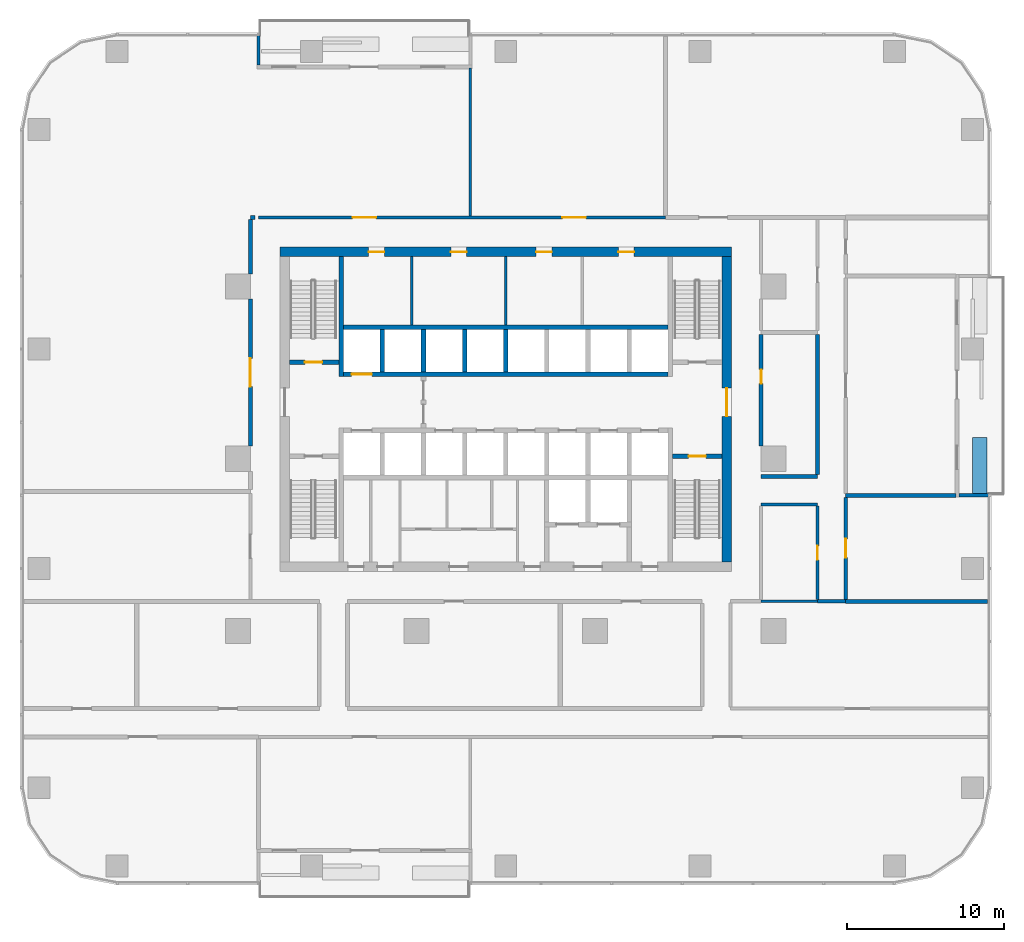
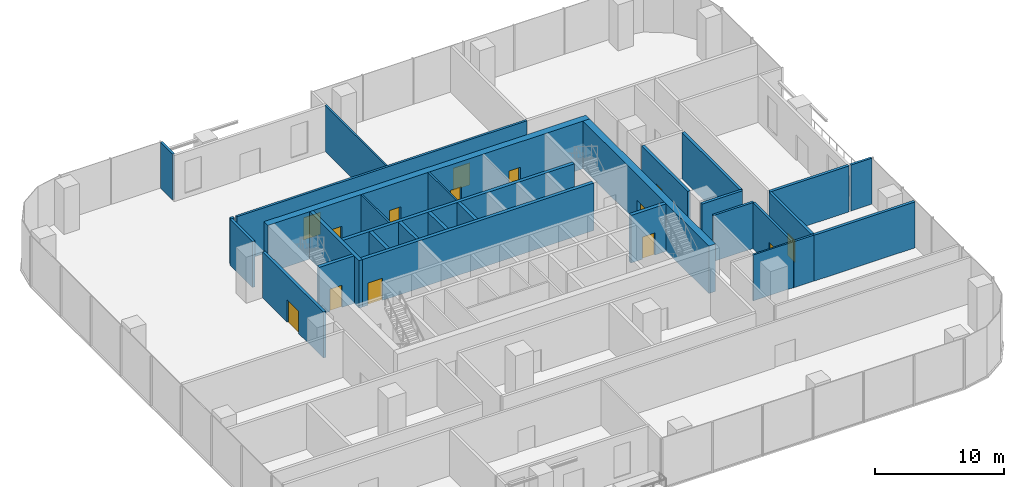
# One storey, part 9 of 15: 31 walls, 14 doors, 14 openings.
"""IFC4 building model written with IfcOpenShell, lengths in metres."""

from ifc_helpers import new_model, si_unit, direction, frame, frame_2d, origin, place, context, subcontext, project, spatial, rectangle, extrude, material, layer, layer_set, type_object, element, fill, save


model = new_model("IFC4")

# Units and contexts
model_context = context("Model", 3, precision=1e-05, world=origin(), true_north=direction((0.0, 1.0)))
body_context = subcontext(model_context, "Body", "Model", "MODEL_VIEW")
ifc_project = project(units=[si_unit("LENGTHUNIT", "METRE"), si_unit("AREAUNIT", "SQUARE_METRE"), si_unit("VOLUMEUNIT", "CUBIC_METRE"), si_unit("PLANEANGLEUNIT", "RADIAN"), si_unit("MASSUNIT", "GRAM", prefix="KILO")], contexts=[model_context])

# Site, building, storey
site_placement = place(None, origin())
site = spatial("IfcSite", under=ifc_project, at=site_placement, CompositionType="ELEMENT")
building_placement = place(site_placement, origin())
building = spatial("IfcBuilding", under=site, at=building_placement, Name="Mopane Tessera Tower", CompositionType="ELEMENT")
storey_placement = place(building_placement, frame((0.0, 0.0, 69.39990234375)))
storey = spatial("IfcBuildingStorey", under=building, at=storey_placement, Name="L13", CompositionType="ELEMENT", Elevation=69.39990234375)

# Walls
ifc_material_1 = material(Name="Fire-rated gypsum board partition")
ifc_layer_1 = layer(ifc_material_1, 0.14990234375)
ifc_layer_set_1 = layer_set([ifc_layer_1], Name="Fire-rated gypsum board partition")
wall_type_1 = type_object("IfcWallType", Name="Core room partition 150 mm", PredefinedType="PARTITIONING", material=ifc_layer_set_1)
for number, where, z_axis, x_axis, name in (
    (1, (-6.0, 8.550048828125, 0.0), (0.0, 0.0, 1.0), (0.0, 1.0, 0.0), "L13 Room partition"),
    (2, (0.0, 8.550048828125, 0.0), (0.0, 0.0, 1.0), (0.0, 1.0, 0.0), "L13 Room partition"),
):
    element("IfcWall", number, at=place(storey_placement, frame(where, z_axis=z_axis, x_axis=x_axis)), inside=storey, type_object=wall_type_1, Name=name, PredefinedType="PARTITIONING", context=body_context, shape_type="SweptSolid", body=[
        extrude(rectangle(XDim=4.349853515625, YDim=0.14990234375, at=frame_2d((2.1748046875, 0.0))), origin(), (0.0, 0.0, 1.0), 4.5),
    ])

# Wall, openings, doors
ifc_material_2 = material(Name="Concrete C70/85", Category="concrete")
ifc_layer_2 = layer(ifc_material_2, 0.60009765625)
ifc_layer_set_2 = layer_set([ifc_layer_2], Name="Concrete C70/85")
wall_type_2 = type_object("IfcWallType", Name="Core shear wall 600 mm", PredefinedType="SHEAR", material=ifc_layer_set_2)
wall_1_placement = place(storey_placement, frame((-14.39990234375, 13.199951171875, 0.0), z_axis=(0.0, 0.0, 1.0), x_axis=(1.0, 0.0, 0.0)))
wall_1 = element("IfcWall", 3, at=wall_1_placement, inside=storey, type_object=wall_type_2, Name="L13 Core wall north", PredefinedType="SHEAR", context=body_context, shape_type="SweptSolid", body=[
    extrude(rectangle(XDim=28.7998046875, YDim=0.60009765625, at=frame_2d((14.39990234375, 0.0))), origin(), (0.0, 0.0, 1.0), 4.5),
])
opening_1_placement = place(wall_1_placement, frame((5.64990234375, 0.0, 0.0)))
opening_1 = element("IfcOpeningElement", 4, at=opening_1_placement, cuts=wall_1, Name="Opening RD1", PredefinedType="OPENING", context=body_context, shape_type="SweptSolid", body=[
    extrude(rectangle(XDim=1.0, YDim=2.10009765625, at=frame_2d((0.5, 1.050048828125))), frame((0.0, 0.31201171875, 0.0), z_axis=(0.0, -1.0, 0.0), x_axis=(1.0, 0.0, 0.0)), (0.0, 0.0, 1.0), 0.6240234375),
])
opening_2_placement = place(wall_1_placement, frame((10.89990234375, 0.0, 0.0)))
opening_2 = element("IfcOpeningElement", 5, at=opening_2_placement, cuts=wall_1, Name="Opening RD1", PredefinedType="OPENING", context=body_context, shape_type="SweptSolid", body=[
    extrude(rectangle(XDim=1.0, YDim=2.10009765625, at=frame_2d((0.5, 1.050048828125))), frame((0.0, 0.31201171875, 0.0), z_axis=(0.0, -1.0, 0.0), x_axis=(1.0, 0.0, 0.0)), (0.0, 0.0, 1.0), 0.6240234375),
])
opening_3_placement = place(wall_1_placement, frame((16.33740234375, 0.0, 0.0)))
opening_3 = element("IfcOpeningElement", 6, at=opening_3_placement, cuts=wall_1, Name="Opening RD1", PredefinedType="OPENING", context=body_context, shape_type="SweptSolid", body=[
    extrude(rectangle(XDim=1.0, YDim=2.10009765625, at=frame_2d((0.5, 1.050048828125))), frame((0.0, 0.31201171875, 0.0), z_axis=(0.0, -1.0, 0.0), x_axis=(1.0, 0.0, 0.0)), (0.0, 0.0, 1.0), 0.6240234375),
])
opening_4_placement = place(wall_1_placement, frame((21.58740234375, 0.0, 0.0)))
opening_4 = element("IfcOpeningElement", 7, at=opening_4_placement, cuts=wall_1, Name="Opening RD1", PredefinedType="OPENING", context=body_context, shape_type="SweptSolid", body=[
    extrude(rectangle(XDim=1.0, YDim=2.10009765625, at=frame_2d((0.5, 1.050048828125))), frame((0.0, 0.31201171875, 0.0), z_axis=(0.0, -1.0, 0.0), x_axis=(1.0, 0.0, 0.0)), (0.0, 0.0, 1.0), 0.6240234375),
])
ifc_material_3 = material(Name="Timber door", Category="wood")
door_type_1 = type_object("IfcDoorType", Name="Core room door 1000 x 2100", OperationType="SINGLE_SWING_LEFT", PredefinedType="DOOR", material=ifc_material_3)
door_1_placement = place(opening_1_placement, origin())
door_1 = element("IfcDoor", 8, at=door_1_placement, inside=storey, type_object=door_type_1, Name="L13 Room door", OperationType="SINGLE_SWING_LEFT", OverallHeight=2.10009765625, OverallWidth=1.0, PredefinedType="DOOR", context=body_context, shape_type="SweptSolid", body=[
    extrude(rectangle(XDim=1.0, YDim=2.10009765625, at=frame_2d((0.5, 1.050048828125))), frame((0.0, 0.02490234375, 0.0), z_axis=(0.0, -1.0, 0.0), x_axis=(1.0, 0.0, 0.0)), (0.0, 0.0, 1.0), 0.050048828125),
])
fill(opening_1, door_1)
door_2_placement = place(opening_2_placement, origin())
door_2 = element("IfcDoor", 9, at=door_2_placement, inside=storey, type_object=door_type_1, Name="L13 Room door", OperationType="SINGLE_SWING_LEFT", OverallHeight=2.10009765625, OverallWidth=1.0, PredefinedType="DOOR", context=body_context, shape_type="SweptSolid", body=[
    extrude(rectangle(XDim=1.0, YDim=2.10009765625, at=frame_2d((0.5, 1.050048828125))), frame((0.0, 0.02490234375, 0.0), z_axis=(0.0, -1.0, 0.0), x_axis=(1.0, 0.0, 0.0)), (0.0, 0.0, 1.0), 0.050048828125),
])
fill(opening_2, door_2)
door_3_placement = place(opening_3_placement, origin())
door_3 = element("IfcDoor", 10, at=door_3_placement, inside=storey, type_object=door_type_1, Name="L13 Room door", OperationType="SINGLE_SWING_LEFT", OverallHeight=2.10009765625, OverallWidth=1.0, PredefinedType="DOOR", context=body_context, shape_type="SweptSolid", body=[
    extrude(rectangle(XDim=1.0, YDim=2.10009765625, at=frame_2d((0.5, 1.050048828125))), frame((0.0, 0.02490234375, 0.0), z_axis=(0.0, -1.0, 0.0), x_axis=(1.0, 0.0, 0.0)), (0.0, 0.0, 1.0), 0.050048828125),
])
fill(opening_3, door_3)
door_4_placement = place(opening_4_placement, origin())
door_4 = element("IfcDoor", 11, at=door_4_placement, inside=storey, type_object=door_type_1, Name="L13 Room door", OperationType="SINGLE_SWING_LEFT", OverallHeight=2.10009765625, OverallWidth=1.0, PredefinedType="DOOR", context=body_context, shape_type="SweptSolid", body=[
    extrude(rectangle(XDim=1.0, YDim=2.10009765625, at=frame_2d((0.5, 1.050048828125))), frame((0.0, 0.02490234375, 0.0), z_axis=(0.0, -1.0, 0.0), x_axis=(1.0, 0.0, 0.0)), (0.0, 0.0, 1.0), 0.050048828125),
])
fill(opening_4, door_4)

# Wall, opening, door
wall_2_placement = place(storey_placement, frame((14.10009765625, -6.60009765625, 0.0), z_axis=(0.0, 0.0, 1.0), x_axis=(0.0, 1.0, 0.0)))
wall_2 = element("IfcWall", 12, at=wall_2_placement, inside=storey, type_object=wall_type_2, Name="L13 Core wall east", PredefinedType="SHEAR", context=body_context, shape_type="SweptSolid", body=[
    extrude(rectangle(XDim=19.5, YDim=0.60009765625, at=frame_2d((9.75, 0.0))), origin(), (0.0, 0.0, 1.0), 4.5),
])
opening_5_placement = place(wall_2_placement, frame((9.300048828125, 0.0, 0.0)))
opening_5 = element("IfcOpeningElement", 13, at=opening_5_placement, cuts=wall_2, Name="Opening SD2", PredefinedType="OPENING", context=body_context, shape_type="SweptSolid", body=[
    extrude(rectangle(XDim=1.800048828125, YDim=2.10009765625, at=frame_2d((0.89990234375, 1.050048828125))), frame((0.0, 0.31201171875, 0.0), z_axis=(0.0, -1.0, 0.0), x_axis=(1.0, 0.0, 0.0)), (0.0, 0.0, 1.0), 0.6240234375),
])
ifc_material_4 = material(Name="Steel fire door", Category="steel")
door_type_2 = type_object("IfcDoorType", Name="Core entrance double door 1800 x 2100", OperationType="DOUBLE_DOOR_SINGLE_SWING", PredefinedType="DOOR", material=ifc_material_4)
door_5_placement = place(opening_5_placement, origin())
door_5 = element("IfcDoor", 14, at=door_5_placement, inside=storey, type_object=door_type_2, Name="L13 Core entrance door east", OperationType="DOUBLE_DOOR_SINGLE_SWING", OverallHeight=2.10009765625, OverallWidth=1.800048828125, PredefinedType="DOOR", context=body_context, shape_type="SweptSolid", body=[
    extrude(rectangle(XDim=1.800048828125, YDim=2.10009765625, at=frame_2d((0.89990234375, 1.050048828125))), frame((0.0, 0.02490234375, 0.0), z_axis=(0.0, -1.0, 0.0), x_axis=(1.0, 0.0, 0.0)), (0.0, 0.0, 1.0), 0.050048828125),
])
fill(opening_5, door_5)

# Walls
ifc_material_5 = material(Name="Concrete C60/75", Category="concrete")
ifc_layer_3 = layer(ifc_material_5, 0.300048828125)
ifc_layer_set_3 = layer_set([ifc_layer_3], Name="Concrete C60/75")
wall_type_3 = type_object("IfcWallType", Name="Core spine wall 300 mm", PredefinedType="SHEAR", material=ifc_layer_set_3)
wall_3_placement = place(storey_placement, frame((-10.5, 5.25, 0.0), z_axis=(0.0, 0.0, 1.0), x_axis=(0.0, 1.0, 0.0)))
element("IfcWall", 15, at=wall_3_placement, inside=storey, type_object=wall_type_3, Name="L13 Core spine wall", PredefinedType="SHEAR", context=body_context, shape_type="SweptSolid", body=[
    extrude(rectangle(XDim=7.64990234375, YDim=0.300048828125, at=frame_2d((3.824951171875, 0.0))), origin(), (0.0, 0.0, 1.0), 4.5),
])
ifc_material_6 = material(Name="Gypsum board on steel studs, two layers each face, mineral wool infill", Category="steel")
ifc_layer_4 = layer(ifc_material_6, 0.199951171875)
ifc_layer_set_4 = layer_set([ifc_layer_4], Name="Gypsum board on steel studs, two layers each face, mineral wool infill")
wall_type_4 = type_object("IfcWallType", Name="Gypsum board corridor wall 200, rated EI 60", PredefinedType="PARTITIONING", material=ifc_layer_set_4)
wall_4_placement = place(storey_placement, frame((19.89990234375, -9.10009765625, 0.0), z_axis=(0.0, 0.0, 1.0), x_axis=(1.0, 0.0, 0.0)))
element("IfcWall", 16, at=wall_4_placement, inside=storey, type_object=wall_type_4, Name="Partition L13:007", PredefinedType="PARTITIONING", context=body_context, shape_type="SweptSolid", body=[
    extrude(rectangle(XDim=1.800048828125, YDim=0.199951171875, at=frame_2d((0.89990234375, 0.0))), origin(), (0.0, 0.0, 1.0), 4.35009765625),
])
wall_5_placement = place(storey_placement, frame((16.300048828125, -2.925048828125, 0.0), z_axis=(0.0, 0.0, 1.0), x_axis=(1.0, 0.0, 0.0)))
element("IfcWall", 17, at=wall_5_placement, inside=storey, type_object=wall_type_4, Name="Partition L13:011", PredefinedType="PARTITIONING", context=body_context, shape_type="SweptSolid", body=[
    extrude(rectangle(XDim=3.599853515625, YDim=0.199951171875, at=frame_2d((1.7998046875, 0.0))), origin(), (0.0, 0.0, 1.0), 4.35009765625),
])

# Wall, openings, doors
wall_6_placement = place(storey_placement, frame((-15.780029296875, 15.39990234375, 0.0), z_axis=(0.0, 0.0, 1.0), x_axis=(1.0, 0.0, 0.0)))
wall_6 = element("IfcWall", 18, at=wall_6_placement, inside=storey, type_object=wall_type_4, Name="Partition L13:017", PredefinedType="PARTITIONING", context=body_context, shape_type="SweptSolid", body=[
    extrude(rectangle(XDim=25.965087890625, YDim=0.199951171875, at=frame_2d((12.982421875, 0.0))), origin(), (0.0, 0.0, 1.0), 4.35009765625),
])
opening_6_placement = place(wall_6_placement, frame((19.39501953125, 0.0, 0.0)))
opening_6 = element("IfcOpeningElement", 19, at=opening_6_placement, cuts=wall_6, Name="Opening L13-13", PredefinedType="OPENING", context=body_context, shape_type="SweptSolid", body=[
    extrude(rectangle(XDim=1.5, YDim=2.10009765625, at=frame_2d((0.75, 1.050048828125))), frame((0.0, 0.112060546875, 0.0), z_axis=(0.0, -1.0, 0.0), x_axis=(1.0, 0.0, 0.0)), (0.0, 0.0, 1.0), 0.223876953125),
])
opening_7_placement = place(wall_6_placement, frame((6.012451171875, 0.0, 0.0)))
opening_7 = element("IfcOpeningElement", 20, at=opening_7_placement, cuts=wall_6, Name="Opening L13-17", PredefinedType="OPENING", context=body_context, shape_type="SweptSolid", body=[
    extrude(rectangle(XDim=1.5, YDim=2.10009765625, at=frame_2d((0.75, 1.050048828125))), frame((0.0, 0.112060546875, 0.0), z_axis=(0.0, -1.0, 0.0), x_axis=(1.0, 0.0, 0.0)), (0.0, 0.0, 1.0), 0.223876953125),
])
ifc_material_7 = material(Name="Timber veneered steel-framed fire door", Category="steel")
door_type_3 = type_object("IfcDoorType", Name="Fire door pair FD60 1500 x 2100", OperationType="DOUBLE_DOOR_SINGLE_SWING", PredefinedType="DOOR", material=ifc_material_7)
door_6_placement = place(opening_6_placement, origin())
door_6 = element("IfcDoor", 21, at=door_6_placement, inside=storey, type_object=door_type_3, Name="Door L13-13", ObjectType="D17A", OperationType="DOUBLE_DOOR_SINGLE_SWING", OverallHeight=2.10009765625, OverallWidth=1.5, PredefinedType="DOOR", context=body_context, shape_type="SweptSolid", body=[
    extrude(rectangle(XDim=1.5, YDim=2.10009765625, at=frame_2d((0.75, 1.050048828125))), frame((0.0, 0.02490234375, 0.0), z_axis=(0.0, -1.0, 0.0), x_axis=(1.0, 0.0, 0.0)), (0.0, 0.0, 1.0), 0.050048828125),
])
fill(opening_6, door_6)
door_7_placement = place(opening_7_placement, origin())
door_7 = element("IfcDoor", 22, at=door_7_placement, inside=storey, type_object=door_type_3, Name="Door L13-17", ObjectType="D17A", OperationType="DOUBLE_DOOR_SINGLE_SWING", OverallHeight=2.10009765625, OverallWidth=1.5, PredefinedType="DOOR", context=body_context, shape_type="SweptSolid", body=[
    extrude(rectangle(XDim=1.5, YDim=2.10009765625, at=frame_2d((0.75, 1.050048828125))), frame((0.0, 0.02490234375, 0.0), z_axis=(0.0, -1.0, 0.0), x_axis=(1.0, 0.0, 0.0)), (0.0, 0.0, 1.0), 0.050048828125),
])
fill(opening_7, door_7)

# Wall, opening, door
wall_7_placement = place(storey_placement, frame((19.89990234375, -9.0, 0.0), z_axis=(0.0, 0.0, 1.0), x_axis=(0.0, 1.0, 0.0)))
wall_7 = element("IfcWall", 23, at=wall_7_placement, inside=storey, type_object=wall_type_4, Name="Partition L13:039", PredefinedType="PARTITIONING", context=body_context, shape_type="SweptSolid", body=[
    extrude(rectangle(XDim=5.97509765625, YDim=0.199951171875, at=frame_2d((2.987548828125, 0.0))), origin(), (0.0, 0.0, 1.0), 4.35009765625),
])
opening_8_placement = place(wall_7_placement, frame((2.53759765625, 0.0, 0.0)))
opening_8 = element("IfcOpeningElement", 24, at=opening_8_placement, cuts=wall_7, Name="Opening L13-14", PredefinedType="OPENING", context=body_context, shape_type="SweptSolid", body=[
    extrude(rectangle(XDim=0.89990234375, YDim=2.10009765625, at=frame_2d((0.449951171875, 1.050048828125))), frame((0.0, 0.112060546875, 0.0), z_axis=(0.0, -1.0, 0.0), x_axis=(1.0, 0.0, 0.0)), (0.0, 0.0, 1.0), 0.223876953125),
])
ifc_material_8 = material(Name="Timber veneered steel-framed fire door", Category="steel")
door_type_4 = type_object("IfcDoorType", Name="Fire door FD60 900 x 2100", OperationType="SINGLE_SWING_LEFT", PredefinedType="DOOR", material=ifc_material_8)
door_8_placement = place(opening_8_placement, origin())
door_8 = element("IfcDoor", 25, at=door_8_placement, inside=storey, type_object=door_type_4, Name="Door L13-14", ObjectType="D10A", OperationType="SINGLE_SWING_LEFT", OverallHeight=2.10009765625, OverallWidth=0.89990234375, PredefinedType="DOOR", context=body_context, shape_type="SweptSolid", body=[
    extrude(rectangle(XDim=0.89990234375, YDim=2.10009765625, at=frame_2d((0.449951171875, 1.050048828125))), frame((0.0, 0.02490234375, 0.0), z_axis=(0.0, -1.0, 0.0), x_axis=(1.0, 0.0, 0.0)), (0.0, 0.0, 1.0), 0.050048828125),
])
fill(opening_8, door_8)

# Walls
ifc_material_9 = material(Name="Gypsum board on steel studs, mineral wool infill", Category="steel")
ifc_layer_5 = layer(ifc_material_9, 0.14990234375)
ifc_layer_set_5 = layer_set([ifc_layer_5], Name="Gypsum board on steel studs, mineral wool infill")
wall_type_5 = type_object("IfcWallType", Name="Gypsum board partition 150, rated EI 60", PredefinedType="PARTITIONING", material=ifc_layer_set_5)
wall_8_placement = place(storey_placement, frame((16.300048828125, -9.10009765625, 0.0), z_axis=(0.0, 0.0, 1.0), x_axis=(1.0, 0.0, 0.0)))
element("IfcWall", 26, at=wall_8_placement, inside=storey, type_object=wall_type_5, Name="Partition L13:005", PredefinedType="PARTITIONING", context=body_context, shape_type="SweptSolid", body=[
    extrude(rectangle(XDim=3.599853515625, YDim=0.14990234375, at=frame_2d((1.7998046875, 0.0))), origin(), (0.0, 0.0, 1.0), 4.35009765625),
])
wall_9_placement = place(storey_placement, frame((-2.2548828125, 15.5, 0.0), z_axis=(0.0, 0.0, 1.0), x_axis=(0.0, 1.0, 0.0)))
element("IfcWall", 27, at=wall_9_placement, inside=storey, type_object=wall_type_5, Name="Partition L13:030", PredefinedType="PARTITIONING", context=body_context, shape_type="SweptSolid", body=[
    extrude(rectangle(XDim=9.449951171875, YDim=0.14990234375, at=frame_2d((4.72509765625, 0.0))), origin(), (0.0, 0.0, 1.0), 4.35009765625),
])

# Wall, opening, door
ifc_material_10 = material(Name="Concrete C50/60", Category="concrete")
ifc_layer_6 = layer(ifc_material_10, 0.300048828125)
ifc_layer_set_6 = layer_set([ifc_layer_6], Name="Concrete C50/60")
wall_type_6 = type_object("IfcWallType", Name="Lift and stair shaft wall 300 mm", PredefinedType="SOLIDWALL", material=ifc_layer_set_6)
wall_10_placement = place(storey_placement, frame((-13.800048828125, 6.14990234375, 0.0), z_axis=(0.0, 0.0, 1.0), x_axis=(1.0, 0.0, 0.0)))
wall_10 = element("IfcWall", 28, at=wall_10_placement, inside=storey, type_object=wall_type_6, Name="L13 Stair enclosure wall", PredefinedType="SOLIDWALL", context=body_context, shape_type="SweptSolid", body=[
    extrude(rectangle(XDim=3.150146484375, YDim=0.300048828125, at=frame_2d((1.5751953125, 0.0))), origin(), (0.0, 0.0, 1.0), 4.5),
])
opening_9_placement = place(wall_10_placement, frame((0.97509765625, 0.0, 0.0)))
opening_9 = element("IfcOpeningElement", 29, at=opening_9_placement, cuts=wall_10, Name="Opening SD1", PredefinedType="OPENING", context=body_context, shape_type="SweptSolid", body=[
    extrude(rectangle(XDim=1.10009765625, YDim=2.10009765625, at=frame_2d((0.550048828125, 1.050048828125))), frame((0.0, 0.162109375, 0.0), z_axis=(0.0, -1.0, 0.0), x_axis=(1.0, 0.0, 0.0)), (0.0, 0.0, 1.0), 0.323974609375),
])
ifc_material_11 = material(Name="Steel fire door", Category="steel")
door_type_5 = type_object("IfcDoorType", Name="Stair fire door 1100 x 2100", OperationType="SINGLE_SWING_LEFT", PredefinedType="DOOR", material=ifc_material_11)
door_9_placement = place(opening_9_placement, origin())
door_9 = element("IfcDoor", 30, at=door_9_placement, inside=storey, type_object=door_type_5, Name="L13 Stair door ST2", OperationType="SINGLE_SWING_LEFT", OverallHeight=2.10009765625, OverallWidth=1.10009765625, PredefinedType="DOOR", context=body_context, shape_type="SweptSolid", body=[
    extrude(rectangle(XDim=1.10009765625, YDim=2.10009765625, at=frame_2d((0.550048828125, 1.050048828125))), frame((0.0, 0.02490234375, 0.0), z_axis=(0.0, -1.0, 0.0), x_axis=(1.0, 0.0, 0.0)), (0.0, 0.0, 1.0), 0.050048828125),
])
fill(opening_9, door_9)

wall_11_placement = place(storey_placement, frame((10.64990234375, 0.14990234375, 0.0), z_axis=(0.0, 0.0, 1.0), x_axis=(1.0, 0.0, 0.0)))
wall_11 = element("IfcWall", 31, at=wall_11_placement, inside=storey, type_object=wall_type_6, Name="L13 Stair enclosure wall", PredefinedType="SOLIDWALL", context=body_context, shape_type="SweptSolid", body=[
    extrude(rectangle(XDim=3.150146484375, YDim=0.300048828125, at=frame_2d((1.5751953125, 0.0))), origin(), (0.0, 0.0, 1.0), 4.5),
])
opening_10_placement = place(wall_11_placement, frame((1.02490234375, 0.0, 0.0)))
opening_10 = element("IfcOpeningElement", 32, at=opening_10_placement, cuts=wall_11, Name="Opening SD1", PredefinedType="OPENING", context=body_context, shape_type="SweptSolid", body=[
    extrude(rectangle(XDim=1.10009765625, YDim=2.10009765625, at=frame_2d((0.550048828125, 1.050048828125))), frame((0.0, 0.162109375, 0.0), z_axis=(0.0, -1.0, 0.0), x_axis=(1.0, 0.0, 0.0)), (0.0, 0.0, 1.0), 0.323974609375),
])
door_10_placement = place(opening_10_placement, origin())
door_10 = element("IfcDoor", 33, at=door_10_placement, inside=storey, type_object=door_type_5, Name="L13 Stair door ST3", OperationType="SINGLE_SWING_RIGHT", OverallHeight=2.10009765625, OverallWidth=1.10009765625, PredefinedType="DOOR", context=body_context, shape_type="SweptSolid", body=[
    extrude(rectangle(XDim=1.10009765625, YDim=2.10009765625, at=frame_2d((0.550048828125, 1.050048828125))), frame((0.0, 0.02490234375, 0.0), z_axis=(0.0, -1.0, 0.0), x_axis=(1.0, 0.0, 0.0)), (0.0, 0.0, 1.0), 0.050048828125),
])
fill(opening_10, door_10)

wall_12_placement = place(storey_placement, frame((-10.35009765625, 5.39990234375, 0.0), z_axis=(0.0, 0.0, 1.0), x_axis=(1.0, 0.0, 0.0)))
wall_12 = element("IfcWall", 34, at=wall_12_placement, inside=storey, type_object=wall_type_6, Name="L13 Lift shaft front wall", PredefinedType="SOLIDWALL", context=body_context, shape_type="SweptSolid", body=[
    extrude(rectangle(XDim=20.7001953125, YDim=0.300048828125, at=frame_2d((10.35009765625, 0.0))), origin(), (0.0, 0.0, 1.0), 4.5),
])
opening_11_placement = place(wall_12_placement, frame((0.512451171875, 0.0, 0.0)))
opening_11 = element("IfcOpeningElement", 35, at=opening_11_placement, cuts=wall_12, Name="Opening LD2", PredefinedType="OPENING", context=body_context, shape_type="SweptSolid", body=[
    extrude(rectangle(XDim=1.300048828125, YDim=2.10009765625, at=frame_2d((0.64990234375, 1.050048828125))), frame((0.0, 0.162109375, 0.0), z_axis=(0.0, -1.0, 0.0), x_axis=(1.0, 0.0, 0.0)), (0.0, 0.0, 1.0), 0.323974609375),
])
ifc_material_12 = material(Name="Stainless steel sliding door", Category="steel")
door_type_6 = type_object("IfcDoorType", Name="Fire-fighting lift landing door 1300 x 2100", OperationType="DOUBLE_DOOR_SLIDING", PredefinedType="DOOR", material=ifc_material_12)
door_11_placement = place(opening_11_placement, origin())
door_11 = element("IfcDoor", 36, at=door_11_placement, inside=storey, type_object=door_type_6, Name="L13 Lift landing door FF2", OperationType="DOUBLE_DOOR_SLIDING", OverallHeight=2.10009765625, OverallWidth=1.300048828125, PredefinedType="DOOR", context=body_context, shape_type="SweptSolid", body=[
    extrude(rectangle(XDim=1.300048828125, YDim=2.10009765625, at=frame_2d((0.64990234375, 1.050048828125))), frame((0.0, 0.02490234375, 0.0), z_axis=(0.0, -1.0, 0.0), x_axis=(1.0, 0.0, 0.0)), (0.0, 0.0, 1.0), 0.050048828125),
])
fill(opening_11, door_11)

# Walls
wall_13_placement = place(storey_placement, frame((-10.35009765625, 8.39990234375, 0.0), z_axis=(0.0, 0.0, 1.0), x_axis=(1.0, 0.0, 0.0)))
element("IfcWall", 37, at=wall_13_placement, inside=storey, type_object=wall_type_6, Name="L13 Lift shaft rear wall", PredefinedType="SOLIDWALL", context=body_context, shape_type="SweptSolid", body=[
    extrude(rectangle(XDim=20.7001953125, YDim=0.300048828125, at=frame_2d((10.35009765625, 0.0))), origin(), (0.0, 0.0, 1.0), 4.5),
])
for number, where, z_axis, x_axis, name in (
    (38, (-7.875, 5.550048828125, 0.0), (0.0, 0.0, 1.0), (0.0, 1.0, 0.0), "L13 Lift shaft wall"),
    (39, (-5.25, 5.550048828125, 0.0), (0.0, 0.0, 1.0), (0.0, 1.0, 0.0), "L13 Lift shaft wall"),
    (40, (-2.625, 5.550048828125, 0.0), (0.0, 0.0, 1.0), (0.0, 1.0, 0.0), "L13 Lift shaft wall"),
    (41, (0.0, 5.550048828125, 0.0), (0.0, 0.0, 1.0), (0.0, 1.0, 0.0), "L13 Lift shaft wall"),
):
    element("IfcWall", number, at=place(storey_placement, frame(where, z_axis=z_axis, x_axis=x_axis)), inside=storey, type_object=wall_type_6, Name=name, PredefinedType="SOLIDWALL", context=body_context, shape_type="SweptSolid", body=[
        extrude(rectangle(XDim=2.699951171875, YDim=0.300048828125, at=frame_2d((1.35009765625, 0.0))), origin(), (0.0, 0.0, 1.0), 4.5),
    ])
ifc_material_13 = material(Name="Reinforced concrete C32/40 with waterproofing", Category="concrete")
ifc_layer_7 = layer(ifc_material_13, 0.89990234375)
ifc_layer_set_7 = layer_set([ifc_layer_7], Name="Reinforced concrete C32/40 with waterproofing")
wall_type_7 = type_object("IfcWallType", Name="Planter trough 3600 x 900", PredefinedType="STANDARD", material=ifc_layer_set_7)
wall_14_placement = place(storey_placement, frame((30.25, -2.2333984375, 0.0), z_axis=(0.0, 0.0, 1.0), x_axis=(0.0, 1.0, 0.0)))
element("IfcWall", 42, at=wall_14_placement, inside=storey, type_object=wall_type_7, Name="e:nw:L13:N1:pl0", PredefinedType="STANDARD", context=body_context, shape_type="SweptSolid", body=[
    extrude(rectangle(XDim=3.60009765625, YDim=0.89990234375, at=frame_2d((1.800048828125, 0.0))), origin(), (0.0, 0.0, 1.0), 0.7001953125),
])
ifc_material_14 = material(Name="Plastered concrete blockwork C20/25", Category="masonry")
ifc_layer_8 = layer(ifc_material_14, 0.25)
ifc_layer_set_8 = layer_set([ifc_layer_8], Name="Plastered concrete blockwork C20/25")
wall_type_8 = type_object("IfcWallType", Name="Plastered blockwork wall 250, rated EI 120", PredefinedType="PARTITIONING", material=ifc_layer_set_8)
wall_15_placement = place(storey_placement, frame((21.699951171875, -9.10009765625, 0.0), z_axis=(0.0, 0.0, 1.0), x_axis=(1.0, 0.0, 0.0)))
element("IfcWall", 43, at=wall_15_placement, inside=storey, type_object=wall_type_8, Name="Partition L13:010", PredefinedType="PARTITIONING", context=body_context, shape_type="SweptSolid", body=[
    extrude(rectangle(XDim=9.050048828125, YDim=0.25, at=frame_2d((4.52490234375, 0.0))), origin(), (0.0, 0.0, 1.0), 4.35009765625),
])
wall_16_placement = place(storey_placement, frame((21.699951171875, -2.3349609375, 0.0), z_axis=(0.0, 0.0, 1.0), x_axis=(1.0, 0.0, 0.0)))
element("IfcWall", 44, at=wall_16_placement, inside=storey, type_object=wall_type_8, Name="Partition L13:012", PredefinedType="PARTITIONING", context=body_context, shape_type="SweptSolid", body=[
    extrude(rectangle(XDim=7.050048828125, YDim=0.25, at=frame_2d((3.52490234375, 0.0))), origin(), (0.0, 0.0, 1.0), 4.35009765625),
])
wall_17_placement = place(storey_placement, frame((16.300048828125, -1.125, 0.0), z_axis=(0.0, 0.0, 1.0), x_axis=(1.0, 0.0, 0.0)))
element("IfcWall", 45, at=wall_17_placement, inside=storey, type_object=wall_type_8, Name="Partition L13:014", PredefinedType="PARTITIONING", context=body_context, shape_type="SweptSolid", body=[
    extrude(rectangle(XDim=3.599853515625, YDim=0.25, at=frame_2d((1.7998046875, 0.0))), origin(), (0.0, 0.0, 1.0), 4.35009765625),
])
wall_18_placement = place(storey_placement, frame((-16.300048828125, 15.39990234375, 0.0), z_axis=(0.0, 0.0, 1.0), x_axis=(1.0, 0.0, 0.0)))
element("IfcWall", 46, at=wall_18_placement, inside=storey, type_object=wall_type_8, Name="Partition L13:018", PredefinedType="PARTITIONING", context=body_context, shape_type="SweptSolid", body=[
    extrude(rectangle(XDim=0.300048828125, YDim=0.25, at=frame_2d((0.14990234375, 0.0))), origin(), (0.0, 0.0, 1.0), 4.35009765625),
])

# Wall, opening, door
wall_19_placement = place(storey_placement, frame((-16.300048828125, 0.800048828125, 0.0), z_axis=(0.0, 0.0, 1.0), x_axis=(0.0, 1.0, 0.0)))
wall_19 = element("IfcWall", 47, at=wall_19_placement, inside=storey, type_object=wall_type_8, Name="Partition L13:024", PredefinedType="PARTITIONING", context=body_context, shape_type="SweptSolid", body=[
    extrude(rectangle(XDim=9.39990234375, YDim=0.25, at=frame_2d((4.699951171875, 0.0))), origin(), (0.0, 0.0, 1.0), 4.35009765625),
])
opening_12_placement = place(wall_19_placement, frame((3.800048828125, 0.0, 0.0)))
opening_12 = element("IfcOpeningElement", 48, at=opening_12_placement, cuts=wall_19, Name="Opening L13-07", PredefinedType="OPENING", context=body_context, shape_type="SweptSolid", body=[
    extrude(rectangle(XDim=1.800048828125, YDim=2.10009765625, at=frame_2d((0.89990234375, 1.050048828125))), frame((0.0, 0.136962890625, 0.0), z_axis=(0.0, -1.0, 0.0), x_axis=(1.0, 0.0, 0.0)), (0.0, 0.0, 1.0), 0.27392578125),
])
ifc_material_15 = material(Name="Timber veneered steel-framed fire door", Category="steel")
door_type_7 = type_object("IfcDoorType", Name="Fire door pair FD120 1800 x 2100", OperationType="DOUBLE_DOOR_SINGLE_SWING", PredefinedType="DOOR", material=ifc_material_15)
door_12_placement = place(opening_12_placement, origin())
door_12 = element("IfcDoor", 49, at=door_12_placement, inside=storey, type_object=door_type_7, Name="Door L13-07", ObjectType="D20B", OperationType="DOUBLE_DOOR_SINGLE_SWING", OverallHeight=2.10009765625, OverallWidth=1.800048828125, PredefinedType="DOOR", context=body_context, shape_type="SweptSolid", body=[
    extrude(rectangle(XDim=1.800048828125, YDim=2.10009765625, at=frame_2d((0.89990234375, 1.050048828125))), frame((0.0, 0.02490234375, 0.0), z_axis=(0.0, -1.0, 0.0), x_axis=(1.0, 0.0, 0.0)), (0.0, 0.0, 1.0), 0.050048828125),
])
fill(opening_12, door_12)

# Wall
wall_20_placement = place(storey_placement, frame((-16.300048828125, 11.800048828125, 0.0), z_axis=(0.0, 0.0, 1.0), x_axis=(0.0, 1.0, 0.0)))
element("IfcWall", 50, at=wall_20_placement, inside=storey, type_object=wall_type_8, Name="Partition L13:025", PredefinedType="PARTITIONING", context=body_context, shape_type="SweptSolid", body=[
    extrude(rectangle(XDim=3.474853515625, YDim=0.25, at=frame_2d((1.7373046875, 0.0))), origin(), (0.0, 0.0, 1.0), 4.35009765625),
])

# Wall, opening, door
wall_21_placement = place(storey_placement, frame((16.300048828125, 0.800048828125, 0.0), z_axis=(0.0, 0.0, 1.0), x_axis=(0.0, 1.0, 0.0)))
wall_21 = element("IfcWall", 51, at=wall_21_placement, inside=storey, type_object=wall_type_8, Name="Partition L13:038", PredefinedType="PARTITIONING", context=body_context, shape_type="SweptSolid", body=[
    extrude(rectangle(XDim=7.1298828125, YDim=0.25, at=frame_2d((3.56494140625, 0.0))), origin(), (0.0, 0.0, 1.0), 4.35009765625),
])
opening_13_placement = place(wall_21_placement, frame((3.987548828125, 0.0, 0.0)))
opening_13 = element("IfcOpeningElement", 52, at=opening_13_placement, cuts=wall_21, Name="Opening L13-12", PredefinedType="OPENING", context=body_context, shape_type="SweptSolid", body=[
    extrude(rectangle(XDim=0.89990234375, YDim=2.10009765625, at=frame_2d((0.449951171875, 1.050048828125))), frame((0.0, 0.136962890625, 0.0), z_axis=(0.0, -1.0, 0.0), x_axis=(1.0, 0.0, 0.0)), (0.0, 0.0, 1.0), 0.27392578125),
])
ifc_material_16 = material(Name="Timber veneered steel-framed fire door", Category="steel")
door_type_8 = type_object("IfcDoorType", Name="Fire door FD120 900 x 2100", OperationType="SINGLE_SWING_LEFT", PredefinedType="DOOR", material=ifc_material_16)
door_13_placement = place(opening_13_placement, origin())
door_13 = element("IfcDoor", 53, at=door_13_placement, inside=storey, type_object=door_type_8, Name="Door L13-12", ObjectType="D10B", OperationType="SINGLE_SWING_LEFT", OverallHeight=2.10009765625, OverallWidth=0.89990234375, PredefinedType="DOOR", context=body_context, shape_type="SweptSolid", body=[
    extrude(rectangle(XDim=0.89990234375, YDim=2.10009765625, at=frame_2d((0.449951171875, 1.050048828125))), frame((0.0, 0.02490234375, 0.0), z_axis=(0.0, -1.0, 0.0), x_axis=(1.0, 0.0, 0.0)), (0.0, 0.0, 1.0), 0.050048828125),
])
fill(opening_13, door_13)

# Wall
wall_22_placement = place(storey_placement, frame((19.89990234375, -1.0, 0.0), z_axis=(0.0, 0.0, 1.0), x_axis=(0.0, 1.0, 0.0)))
element("IfcWall", 54, at=wall_22_placement, inside=storey, type_object=wall_type_8, Name="Partition L13:041", PredefinedType="PARTITIONING", context=body_context, shape_type="SweptSolid", body=[
    extrude(rectangle(XDim=8.929931640625, YDim=0.25, at=frame_2d((4.46484375, 0.0))), origin(), (0.0, 0.0, 1.0), 4.35009765625),
])

# Wall, opening, door
wall_23_placement = place(storey_placement, frame((21.699951171875, -8.97509765625, 0.0), z_axis=(0.0, 0.0, 1.0), x_axis=(0.0, 1.0, 0.0)))
wall_23 = element("IfcWall", 55, at=wall_23_placement, inside=storey, type_object=wall_type_8, Name="Partition L13:043", PredefinedType="PARTITIONING", context=body_context, shape_type="SweptSolid", body=[
    extrude(rectangle(XDim=6.51513671875, YDim=0.25, at=frame_2d((3.257568359375, 0.0))), origin(), (0.0, 0.0, 1.0), 4.35009765625),
])
opening_14_placement = place(wall_23_placement, frame((2.657470703125, 0.0, 0.0)))
opening_14 = element("IfcOpeningElement", 56, at=opening_14_placement, cuts=wall_23, Name="Opening L13-08", PredefinedType="OPENING", context=body_context, shape_type="SweptSolid", body=[
    extrude(rectangle(XDim=1.199951171875, YDim=2.10009765625, at=frame_2d((0.60009765625, 1.050048828125))), frame((0.0, 0.136962890625, 0.0), z_axis=(0.0, -1.0, 0.0), x_axis=(1.0, 0.0, 0.0)), (0.0, 0.0, 1.0), 0.27392578125),
])
ifc_material_17 = material(Name="Timber veneered steel-framed fire door", Category="steel")
door_type_9 = type_object("IfcDoorType", Name="Fire door FD120 1200 x 2100", OperationType="SINGLE_SWING_LEFT", PredefinedType="DOOR", material=ifc_material_17)
door_14_placement = place(opening_14_placement, origin())
door_14 = element("IfcDoor", 57, at=door_14_placement, inside=storey, type_object=door_type_9, Name="Door L13-08", ObjectType="D15B", OperationType="SINGLE_SWING_LEFT", OverallHeight=2.10009765625, OverallWidth=1.199951171875, PredefinedType="DOOR", context=body_context, shape_type="SweptSolid", body=[
    extrude(rectangle(XDim=1.199951171875, YDim=2.10009765625, at=frame_2d((0.60009765625, 1.050048828125))), frame((0.0, 0.02490234375, 0.0), z_axis=(0.0, -1.0, 0.0), x_axis=(1.0, 0.0, 0.0)), (0.0, 0.0, 1.0), 0.050048828125),
])
fill(opening_14, door_14)

# Walls
ifc_material_18 = material(Name="Blockwork with glazed tile facing", Category="masonry")
ifc_layer_9 = layer(ifc_material_18, 0.199951171875)
ifc_layer_set_9 = layer_set([ifc_layer_9], Name="Blockwork with glazed tile facing")
wall_type_9 = type_object("IfcWallType", Name="Terrace cheek wall 200", PredefinedType="STANDARD", material=ifc_layer_set_9)
for number, where, z_axis, x_axis, name in (
    (58, (30.800048828125, -2.333251953125, 0.0), (0.0, 0.0, 1.0), (-1.0, 0.0, 0.0), "e:nw:L13:N1:cheeka"),
    (59, (-15.78173828125, 27.0, 0.0), (0.0, 0.0, 1.0), (0.0, -1.0, 0.0), "e:nw:L13:N2:cheekb"),
):
    element("IfcWall", number, at=place(storey_placement, frame(where, z_axis=z_axis, x_axis=x_axis)), inside=storey, type_object=wall_type_9, Name=name, PredefinedType="STANDARD", context=body_context, shape_type="SweptSolid", body=[
        extrude(rectangle(XDim=1.875, YDim=0.199951171875, at=frame_2d((0.9375, 0.0))), origin(), (0.0, 0.0, 1.0), 4.35009765625),
    ])

save(model, "model.ifc")
